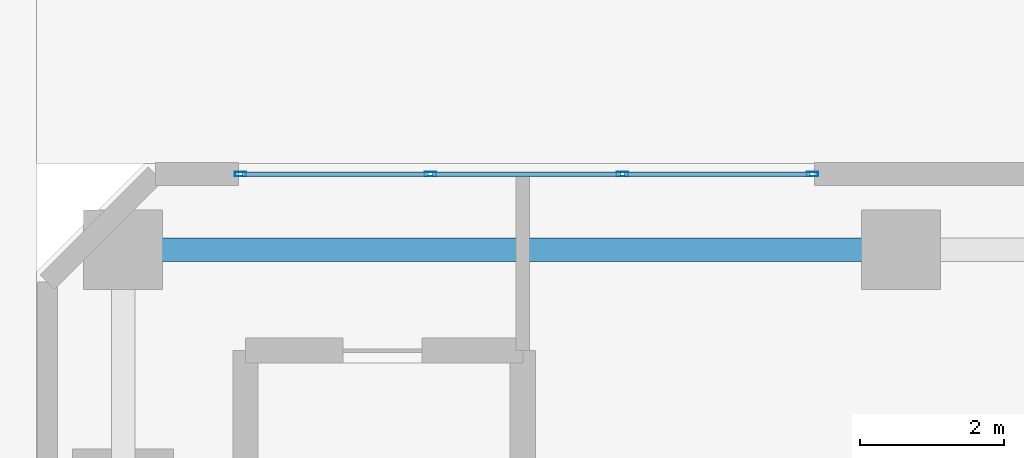
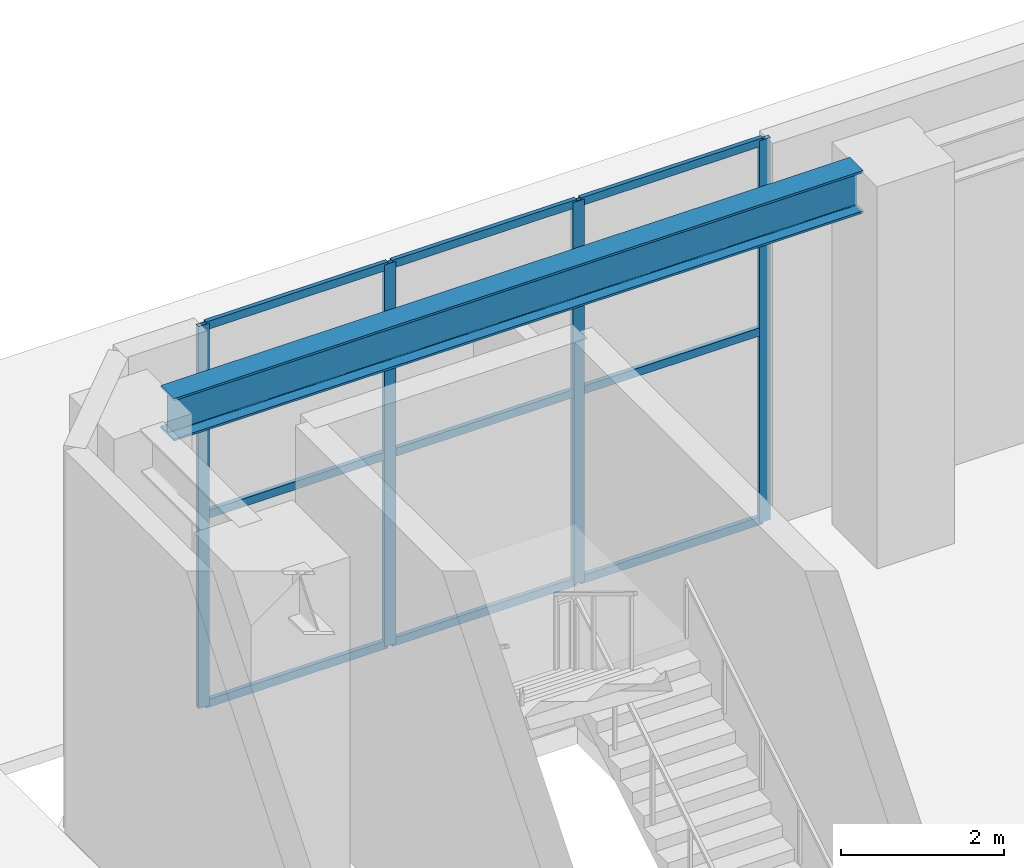
# One storey, part 22 of 49: 13 members, 1 beam, 1 element without a shape of its own.
"""IFC4 building model written with IfcOpenShell, lengths in metres."""

from ifc_helpers import new_model, si_unit, direction, frame, origin, origin_2d, place, context, subcontext, project, spatial, hollow_rectangle, i_section, extrude, material, layer, layer_set, material_profile, profile_set, type_object, element, aggregate, save


model = new_model("IFC4")

# Units and contexts
model_context = context("Model", 3, precision=1e-05, world=origin(), true_north=direction((0.0, 1.0)))
body_context = subcontext(model_context, "Body", "Model", "MODEL_VIEW")
ifc_project = project(units=[si_unit("LENGTHUNIT", "METRE"), si_unit("AREAUNIT", "SQUARE_METRE"), si_unit("VOLUMEUNIT", "CUBIC_METRE"), si_unit("PLANEANGLEUNIT", "RADIAN"), si_unit("MASSUNIT", "GRAM", prefix="KILO")], contexts=[model_context])

# Site, building, storey
site_placement = place(None, origin())
site = spatial("IfcSite", under=ifc_project, at=site_placement, CompositionType="ELEMENT")
building_placement = place(site_placement, origin())
building = spatial("IfcBuilding", under=site, at=building_placement, Name="Sarneth Arch Tower", CompositionType="ELEMENT")
storey_placement = place(building_placement, origin())
storey = spatial("IfcBuildingStorey", under=building, at=storey_placement, Name="L00", CompositionType="ELEMENT", Elevation=0.0)

# Beam
ifc_material_1 = material(Name="Steel S355", Category="steel")
ifc_material_profile_1 = material_profile(ifc_material_1, i_section(OverallWidth=0.3291015625, OverallDepth=0.635009765625, WebThickness=0.017822265625, FlangeThickness=0.031005859375, FilletRadius=0.01904296875, at=origin_2d()), Name="W610x241")
ifc_profile_set_1 = profile_set([ifc_material_profile_1], Name="Steel S355")
beam_type = type_object("IfcBeamType", Name="BM-POD-610", PredefinedType="BEAM", material=ifc_profile_set_1)
beam_placement = place(storey_placement, frame((9.719970703125, 74.800048828125, 5.402587890625), z_axis=(1.0, 0.0, 0.0), x_axis=(0.0, 1.0, 0.0)))
element("IfcBeam", 1, at=beam_placement, inside=storey, type_object=beam_type, Name="L00 Podium PN girder 1", PredefinedType="BEAM", context=body_context, shape_type="SweptSolid", body=[
    extrude(i_section(OverallWidth=0.3291015625, OverallDepth=0.635009765625, WebThickness=0.017822265625, FlangeThickness=0.031005859375, FilletRadius=0.01904296875, at=origin_2d()), origin(), (0.0, 0.0, 1.0), 9.760009765625),
])

# Curtain wall, members
ifc_material_2 = material(Name="Anodised aluminium Type AA25 and solar-control low-e laminated IGU", Category="aluminium")
ifc_layer = layer(ifc_material_2, 0.199951171875)
ifc_layer_set = layer_set([ifc_layer], Name="Anodised aluminium Type AA25 and solar-control low-e laminated IGU")
curtain_wall_type = type_object("IfcCurtainWallType", Name="CW-ARCH-GLAZE", PredefinedType="NOTDEFINED", material=ifc_layer_set)
curtain_wall_placement = place(storey_placement, origin())
curtain_wall = element("IfcCurtainWall", 2, at=curtain_wall_placement, inside=storey, type_object=curtain_wall_type, Name="L00 Podium bay curtain wall NW", PredefinedType="NOTDEFINED")
ifc_material_3 = material(Name="Anodised Aluminium 6063-T6", Category="aluminium")
ifc_material_profile_2 = material_profile(ifc_material_3, hollow_rectangle(XDim=0.06005859375, YDim=0.159912109375, WallThickness=0.00390625, at=origin_2d()), Name="AL-MULL-160x60x4")
ifc_profile_set_2 = profile_set([ifc_material_profile_2], Name="Anodised Aluminium 6063-T6")
member_type_1 = type_object("IfcMemberType", Name="CW-MULLION", PredefinedType="MULLION", material=ifc_profile_set_2)
member_1_placement = place(storey_placement, frame((18.77001953125, 75.85009765625, 0.0), z_axis=(0.0, 0.0, 1.0), x_axis=(0.0, -1.0, 0.0)))
member_1 = element("IfcMember", 3, at=member_1_placement, type_object=member_type_1, Name="CW-SYS-2 mullion 1", PredefinedType="MULLION", context=body_context, shape_type="SweptSolid", body=[
    extrude(hollow_rectangle(XDim=0.06005859375, YDim=0.159912109375, WallThickness=0.00390625, at=origin_2d()), origin(), (0.0, 0.0, 1.0), 5.719970703125),
])
member_2_placement = place(storey_placement, frame((16.13330078125, 75.85009765625, 0.0), z_axis=(0.0, 0.0, 1.0), x_axis=(0.0, -1.0, 0.0)))
member_2 = element("IfcMember", 4, at=member_2_placement, type_object=member_type_1, Name="CW-SYS-2 mullion 2", PredefinedType="MULLION", context=body_context, shape_type="SweptSolid", body=[
    extrude(hollow_rectangle(XDim=0.06005859375, YDim=0.159912109375, WallThickness=0.00390625, at=origin_2d()), origin(), (0.0, 0.0, 1.0), 5.719970703125),
])
member_3_placement = place(storey_placement, frame((13.466552734375, 75.85009765625, 0.0), z_axis=(0.0, 0.0, 1.0), x_axis=(0.0, -1.0, 0.0)))
member_3 = element("IfcMember", 5, at=member_3_placement, type_object=member_type_1, Name="CW-SYS-2 mullion 3", PredefinedType="MULLION", context=body_context, shape_type="SweptSolid", body=[
    extrude(hollow_rectangle(XDim=0.06005859375, YDim=0.159912109375, WallThickness=0.00390625, at=origin_2d()), origin(), (0.0, 0.0, 1.0), 5.719970703125),
])
member_4_placement = place(storey_placement, frame((10.830078125, 75.85009765625, 0.0), z_axis=(0.0, 0.0, 1.0), x_axis=(0.0, -1.0, 0.0)))
member_4 = element("IfcMember", 6, at=member_4_placement, type_object=member_type_1, Name="CW-SYS-2 mullion 4", PredefinedType="MULLION", context=body_context, shape_type="SweptSolid", body=[
    extrude(hollow_rectangle(XDim=0.06005859375, YDim=0.159912109375, WallThickness=0.00390625, at=origin_2d()), origin(), (0.0, 0.0, 1.0), 5.719970703125),
])
ifc_material_4 = material(Name="Anodised Aluminium 6063-T6", Category="aluminium")
ifc_material_profile_3 = material_profile(ifc_material_4, hollow_rectangle(XDim=0.06005859375, YDim=0.1201171875, WallThickness=0.00390625, at=origin_2d()), Name="AL-TRAN-120x60x4")
ifc_profile_set_3 = profile_set([ifc_material_profile_3], Name="Anodised Aluminium 6063-T6")
member_type_2 = type_object("IfcMemberType", Name="CW-TRANSOM", PredefinedType="USERDEFINED", material=ifc_profile_set_3)
member_5_placement = place(storey_placement, frame((18.739990234375, 75.85009765625, 0.030029296875), z_axis=(-1.0, 0.0, 0.0), x_axis=(0.0, -1.0, 0.0)))
member_5 = element("IfcMember", 7, at=member_5_placement, type_object=member_type_2, Name="CW-SYS-2 transom 1.1", ObjectType="TRANSOM", PredefinedType="USERDEFINED", context=body_context, shape_type="SweptSolid", body=[
    extrude(hollow_rectangle(XDim=0.06005859375, YDim=0.1201171875, WallThickness=0.00390625, at=origin_2d()), origin(), (0.0, 0.0, 1.0), 2.57666015625),
])
member_6_placement = place(storey_placement, frame((18.739990234375, 75.85009765625, 2.860107421875), z_axis=(-1.0, 0.0, 0.0), x_axis=(0.0, -1.0, 0.0)))
member_6 = element("IfcMember", 8, at=member_6_placement, type_object=member_type_2, Name="CW-SYS-2 transom 1.2", ObjectType="TRANSOM", PredefinedType="USERDEFINED", context=body_context, shape_type="SweptSolid", body=[
    extrude(hollow_rectangle(XDim=0.06005859375, YDim=0.1201171875, WallThickness=0.00390625, at=origin_2d()), origin(), (0.0, 0.0, 1.0), 2.57666015625),
])
member_7_placement = place(storey_placement, frame((18.739990234375, 75.85009765625, 5.68994140625), z_axis=(-1.0, 0.0, 0.0), x_axis=(0.0, -1.0, 0.0)))
member_7 = element("IfcMember", 9, at=member_7_placement, type_object=member_type_2, Name="CW-SYS-2 transom 1.3", ObjectType="TRANSOM", PredefinedType="USERDEFINED", context=body_context, shape_type="SweptSolid", body=[
    extrude(hollow_rectangle(XDim=0.06005859375, YDim=0.1201171875, WallThickness=0.00390625, at=origin_2d()), origin(), (0.0, 0.0, 1.0), 2.57666015625),
])
member_8_placement = place(storey_placement, frame((16.103271484375, 75.85009765625, 0.030029296875), z_axis=(-1.0, 0.0, 0.0), x_axis=(0.0, -1.0, 0.0)))
member_8 = element("IfcMember", 10, at=member_8_placement, type_object=member_type_2, Name="CW-SYS-2 transom 2.1", ObjectType="TRANSOM", PredefinedType="USERDEFINED", context=body_context, shape_type="SweptSolid", body=[
    extrude(hollow_rectangle(XDim=0.06005859375, YDim=0.1201171875, WallThickness=0.00390625, at=origin_2d()), origin(), (0.0, 0.0, 1.0), 2.606689453125),
])
member_9_placement = place(storey_placement, frame((16.103271484375, 75.85009765625, 2.860107421875), z_axis=(-1.0, 0.0, 0.0), x_axis=(0.0, -1.0, 0.0)))
member_9 = element("IfcMember", 11, at=member_9_placement, type_object=member_type_2, Name="CW-SYS-2 transom 2.2", ObjectType="TRANSOM", PredefinedType="USERDEFINED", context=body_context, shape_type="SweptSolid", body=[
    extrude(hollow_rectangle(XDim=0.06005859375, YDim=0.1201171875, WallThickness=0.00390625, at=origin_2d()), origin(), (0.0, 0.0, 1.0), 2.606689453125),
])
member_10_placement = place(storey_placement, frame((16.103271484375, 75.85009765625, 5.68994140625), z_axis=(-1.0, 0.0, 0.0), x_axis=(0.0, -1.0, 0.0)))
member_10 = element("IfcMember", 12, at=member_10_placement, type_object=member_type_2, Name="CW-SYS-2 transom 2.3", ObjectType="TRANSOM", PredefinedType="USERDEFINED", context=body_context, shape_type="SweptSolid", body=[
    extrude(hollow_rectangle(XDim=0.06005859375, YDim=0.1201171875, WallThickness=0.00390625, at=origin_2d()), origin(), (0.0, 0.0, 1.0), 2.606689453125),
])
member_11_placement = place(storey_placement, frame((13.436767578125, 75.85009765625, 0.030029296875), z_axis=(-1.0, 0.0, 0.0), x_axis=(0.0, -1.0, 0.0)))
member_11 = element("IfcMember", 13, at=member_11_placement, type_object=member_type_2, Name="CW-SYS-2 transom 3.1", ObjectType="TRANSOM", PredefinedType="USERDEFINED", context=body_context, shape_type="SweptSolid", body=[
    extrude(hollow_rectangle(XDim=0.06005859375, YDim=0.1201171875, WallThickness=0.00390625, at=origin_2d()), origin(), (0.0, 0.0, 1.0), 2.57666015625),
])
member_12_placement = place(storey_placement, frame((13.436767578125, 75.85009765625, 2.860107421875), z_axis=(-1.0, 0.0, 0.0), x_axis=(0.0, -1.0, 0.0)))
member_12 = element("IfcMember", 14, at=member_12_placement, type_object=member_type_2, Name="CW-SYS-2 transom 3.2", ObjectType="TRANSOM", PredefinedType="USERDEFINED", context=body_context, shape_type="SweptSolid", body=[
    extrude(hollow_rectangle(XDim=0.06005859375, YDim=0.1201171875, WallThickness=0.00390625, at=origin_2d()), origin(), (0.0, 0.0, 1.0), 2.57666015625),
])
member_13_placement = place(storey_placement, frame((13.436767578125, 75.85009765625, 5.68994140625), z_axis=(-1.0, 0.0, 0.0), x_axis=(0.0, -1.0, 0.0)))
member_13 = element("IfcMember", 15, at=member_13_placement, type_object=member_type_2, Name="CW-SYS-2 transom 3.3", ObjectType="TRANSOM", PredefinedType="USERDEFINED", context=body_context, shape_type="SweptSolid", body=[
    extrude(hollow_rectangle(XDim=0.06005859375, YDim=0.1201171875, WallThickness=0.00390625, at=origin_2d()), origin(), (0.0, 0.0, 1.0), 2.57666015625),
])
aggregate(curtain_wall, [member_1, member_2, member_3, member_4, member_5, member_6, member_7, member_8, member_9, member_10, member_11, member_12, member_13])

save(model, "model.ifc")
